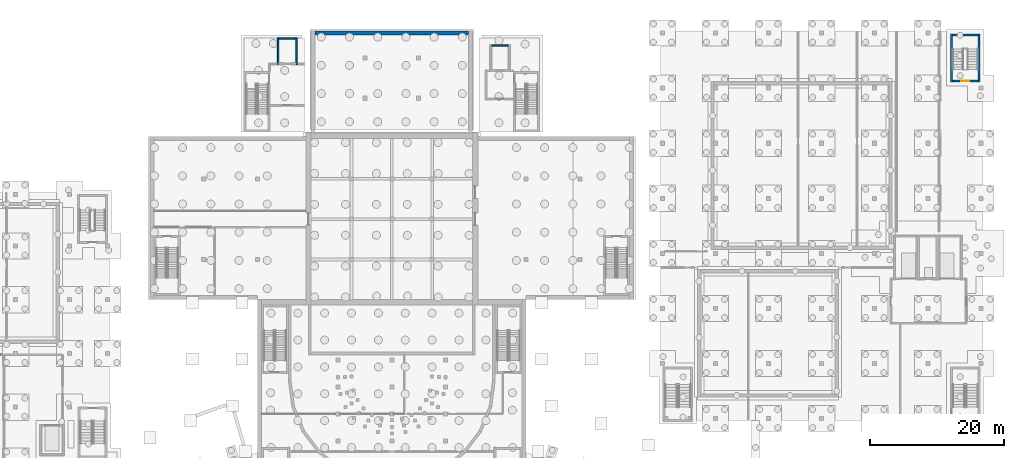
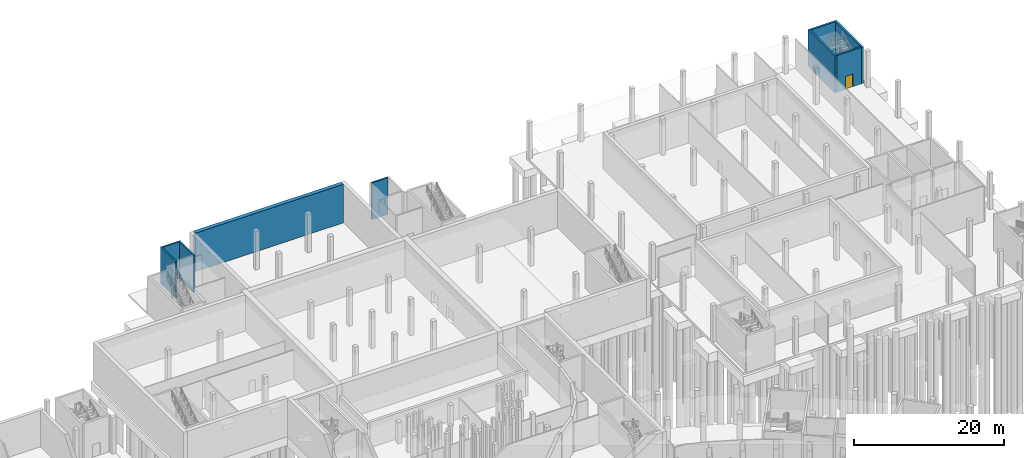
# One storey, part 30 of 66: 9 walls, 1 door, 1 opening.
"""IFC4 building model written with IfcOpenShell, lengths in metres."""

from ifc_helpers import new_model, si_unit, direction, frame, frame_2d, origin, place, context, subcontext, project, spatial, rectangle, extrude, material, layer, layer_set, type_object, element, fill, save


model = new_model("IFC4")

# Units and contexts
model_context = context("Model", 3, precision=1e-05, world=origin(), true_north=direction((0.0, 1.0)))
body_context = subcontext(model_context, "Body", "Model", "MODEL_VIEW")
ifc_project = project(units=[si_unit("LENGTHUNIT", "METRE"), si_unit("AREAUNIT", "SQUARE_METRE"), si_unit("VOLUMEUNIT", "CUBIC_METRE"), si_unit("PLANEANGLEUNIT", "RADIAN"), si_unit("MASSUNIT", "GRAM", prefix="KILO")], contexts=[model_context])

# Site, building, storey
site_placement = place(None, origin())
site = spatial("IfcSite", under=ifc_project, at=site_placement, CompositionType="ELEMENT")
building_placement = place(site_placement, origin())
building = spatial("IfcBuilding", under=site, at=building_placement, Name="Lunette Opera House", CompositionType="ELEMENT")
storey_placement = place(building_placement, frame((0.0, 0.0, -6.0)))
storey = spatial("IfcBuildingStorey", under=building, at=storey_placement, Name="B1", CompositionType="ELEMENT", Elevation=-6.0)

# Walls
ifc_material_1 = material(Name="Concrete C35/45", Category="concrete")
ifc_layer_1 = layer(ifc_material_1, 0.25)
ifc_layer_set_1 = layer_set([ifc_layer_1], Name="Concrete C35/45")
wall_type_1 = type_object("IfcWallType", Name="RC LIFT SHAFT WALL 250", PredefinedType="SOLIDWALL", material=ifc_layer_set_1)
wall_1_placement = place(storey_placement, frame((113.35009765625, 133.875, 0.0), z_axis=(0.0, 0.0, 1.0), x_axis=(-1.0, 0.0, 0.0)))
element("IfcWall", 1, at=wall_1_placement, inside=storey, type_object=wall_type_1, Name="FL3 shaft wall 2", PredefinedType="SOLIDWALL", context=body_context, shape_type="SweptSolid", body=[
    extrude(rectangle(XDim=2.5, YDim=0.25, at=frame_2d((1.25, 0.0))), origin(), (0.0, 0.0, 1.0), 6.0),
])
wall_2_placement = place(storey_placement, frame((81.824951171875, 131.0, 0.0), z_axis=(0.0, 0.0, 1.0), x_axis=(0.0, 1.0, 0.0)))
element("IfcWall", 2, at=wall_2_placement, inside=storey, type_object=wall_type_1, Name="LF7 shaft wall 1", PredefinedType="SOLIDWALL", context=body_context, shape_type="SweptSolid", body=[
    extrude(rectangle(XDim=4.0, YDim=0.25, at=frame_2d((2.0, 0.0))), origin(), (0.0, 0.0, 1.0), 6.0),
])
wall_3_placement = place(storey_placement, frame((81.699951171875, 134.875, 0.0), z_axis=(0.0, 0.0, 1.0), x_axis=(-1.0, 0.0, 0.0)))
element("IfcWall", 3, at=wall_3_placement, inside=storey, type_object=wall_type_1, Name="LF7 shaft wall 2", PredefinedType="SOLIDWALL", context=body_context, shape_type="SweptSolid", body=[
    extrude(rectangle(XDim=2.5, YDim=0.25, at=frame_2d((1.25, 0.0))), origin(), (0.0, 0.0, 1.0), 6.0),
])
wall_4_placement = place(storey_placement, frame((79.074951171875, 135.0, 0.0), z_axis=(0.0, 0.0, 1.0), x_axis=(0.0, -1.0, 0.0)))
element("IfcWall", 4, at=wall_4_placement, inside=storey, type_object=wall_type_1, Name="LF7 shaft wall 3", PredefinedType="SOLIDWALL", context=body_context, shape_type="SweptSolid", body=[
    extrude(rectangle(XDim=4.0, YDim=0.25, at=frame_2d((2.0, 0.0))), origin(), (0.0, 0.0, 1.0), 6.0),
])
ifc_material_2 = material(Name="Concrete C35/45", Category="concrete")
ifc_layer_2 = layer(ifc_material_2, 0.300048828125)
ifc_layer_set_2 = layer_set([ifc_layer_2], Name="Concrete C35/45")
wall_type_2 = type_object("IfcWallType", Name="RC STAIR ENCLOSURE WALL 300", PredefinedType="SOLIDWALL", material=ifc_layer_set_2)
wall_5_placement = place(storey_placement, frame((183.449951171875, 128.39990234375, 0.0), z_axis=(0.0, 0.0, 1.0), x_axis=(0.0, 1.0, 0.0)))
element("IfcWall", 5, at=wall_5_placement, inside=storey, type_object=wall_type_2, Name="ST19 enclosure wall 1", PredefinedType="SOLIDWALL", context=body_context, shape_type="SweptSolid", body=[
    extrude(rectangle(XDim=7.2001953125, YDim=0.300048828125, at=frame_2d((3.60009765625, 0.0))), origin(), (0.0, 0.0, 1.0), 6.0),
])
wall_6_placement = place(storey_placement, frame((183.300048828125, 135.449951171875, 0.0), z_axis=(0.0, 0.0, 1.0), x_axis=(-1.0, 0.0, 0.0)))
element("IfcWall", 6, at=wall_6_placement, inside=storey, type_object=wall_type_2, Name="ST19 enclosure wall 2", PredefinedType="SOLIDWALL", context=body_context, shape_type="SweptSolid", body=[
    extrude(rectangle(XDim=3.800048828125, YDim=0.300048828125, at=frame_2d((1.89990234375, 0.0))), origin(), (0.0, 0.0, 1.0), 6.0),
])
wall_7_placement = place(storey_placement, frame((179.35009765625, 135.60009765625, 0.0), z_axis=(0.0, 0.0, 1.0), x_axis=(0.0, -1.0, 0.0)))
element("IfcWall", 7, at=wall_7_placement, inside=storey, type_object=wall_type_2, Name="ST19 enclosure wall 3", PredefinedType="SOLIDWALL", context=body_context, shape_type="SweptSolid", body=[
    extrude(rectangle(XDim=7.2001953125, YDim=0.300048828125, at=frame_2d((3.60009765625, 0.0))), origin(), (0.0, 0.0, 1.0), 6.0),
])

# Wall, opening, door
wall_8_placement = place(storey_placement, frame((179.5, 128.550048828125, 0.0), z_axis=(0.0, 0.0, 1.0), x_axis=(1.0, 0.0, 0.0)))
wall_8 = element("IfcWall", 8, at=wall_8_placement, inside=storey, type_object=wall_type_2, Name="ST19 enclosure wall 4", PredefinedType="SOLIDWALL", context=body_context, shape_type="SweptSolid", body=[
    extrude(rectangle(XDim=3.800048828125, YDim=0.300048828125, at=frame_2d((1.89990234375, 0.0))), origin(), (0.0, 0.0, 1.0), 6.0),
])
opening_placement = place(wall_8_placement, frame((1.300048828125, 0.0, 0.0)))
opening = element("IfcOpeningElement", 9, at=opening_placement, cuts=wall_8, Name="Opening WW-D7006", PredefinedType="OPENING", context=body_context, shape_type="SweptSolid", body=[
    extrude(rectangle(XDim=1.199951171875, YDim=2.10009765625, at=frame_2d((0.60009765625, 1.050048828125))), frame((0.0, 0.162109375, 0.0), z_axis=(0.0, -1.0, 0.0), x_axis=(1.0, 0.0, 0.0)), (0.0, 0.0, 1.0), 0.323974609375),
])
ifc_material_3 = material(Name="Steel", Category="steel")
door_type = type_object("IfcDoorType", Name="FIRE DOOR 1200 X 2100", OperationType="SINGLE_SWING_LEFT", PredefinedType="DOOR", material=ifc_material_3)
door_placement = place(opening_placement, origin())
door = element("IfcDoor", 10, at=door_placement, inside=storey, type_object=door_type, Name="ST19 stair door", OperationType="SINGLE_SWING_LEFT", OverallHeight=2.10009765625, OverallWidth=1.199951171875, PredefinedType="DOOR", context=body_context, shape_type="SweptSolid", body=[
    extrude(rectangle(XDim=1.199951171875, YDim=2.10009765625, at=frame_2d((0.60009765625, 1.050048828125))), frame((0.0, 0.02490234375, 0.0), z_axis=(0.0, -1.0, 0.0), x_axis=(1.0, 0.0, 0.0)), (0.0, 0.0, 1.0), 0.050048828125),
])
fill(opening, door)

# Wall
ifc_material_4 = material(Name="Concrete C35/45", Category="concrete")
ifc_layer_3 = layer(ifc_material_4, 0.60009765625)
ifc_layer_set_3 = layer_set([ifc_layer_3], Name="Concrete C35/45")
wall_type_3 = type_object("IfcWallType", Name="RC WALL 600", PredefinedType="SHEAR", material=ifc_layer_set_3)
wall_9_placement = place(storey_placement, frame((84.60009765625, 135.699951171875, -0.300048828125), z_axis=(0.0, 0.0, 1.0), x_axis=(1.0, 0.0, 0.0)))
element("IfcWall", 11, at=wall_9_placement, inside=storey, type_object=wall_type_3, Name="wall-ST-B1-SR-N-1", PredefinedType="SHEAR", context=body_context, shape_type="SweptSolid", body=[
    extrude(rectangle(XDim=22.7998046875, YDim=0.60009765625, at=frame_2d((11.39990234375, 0.0))), origin(), (0.0, 0.0, 1.0), 6.300048828125),
])

save(model, "model.ifc")
